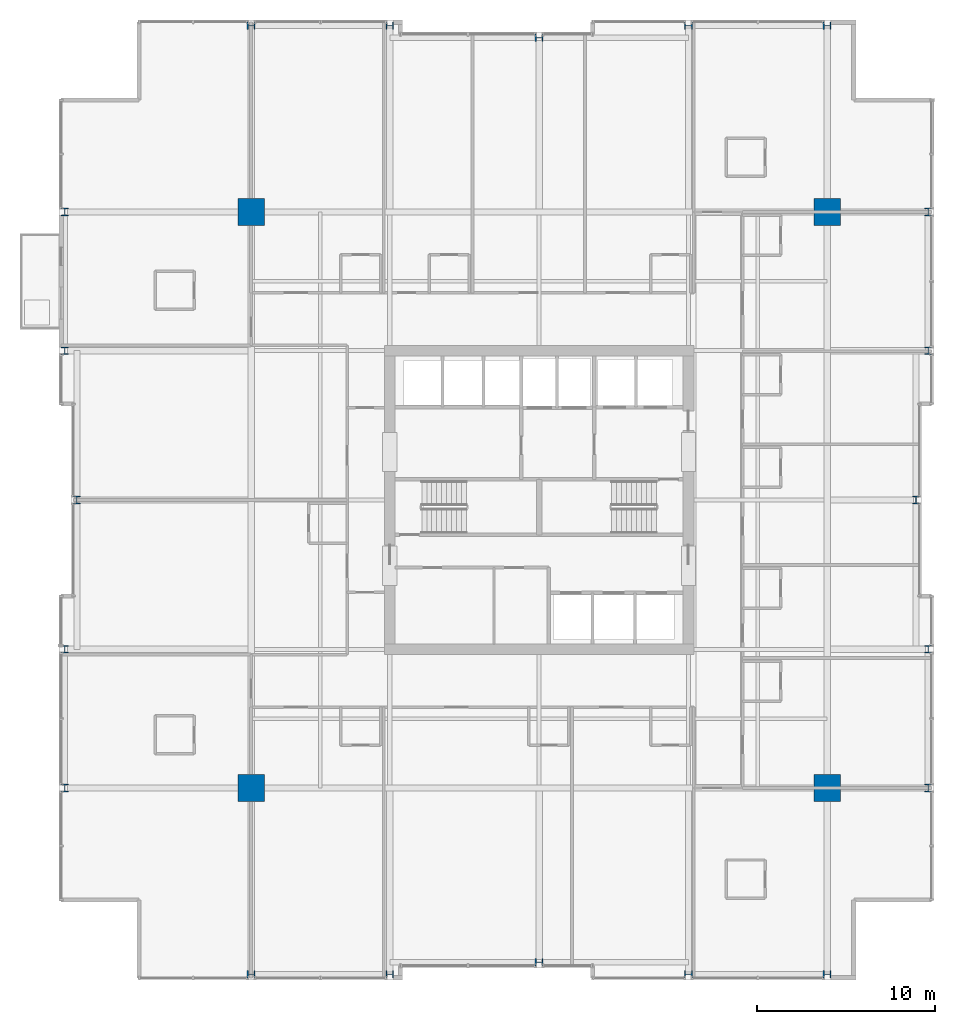
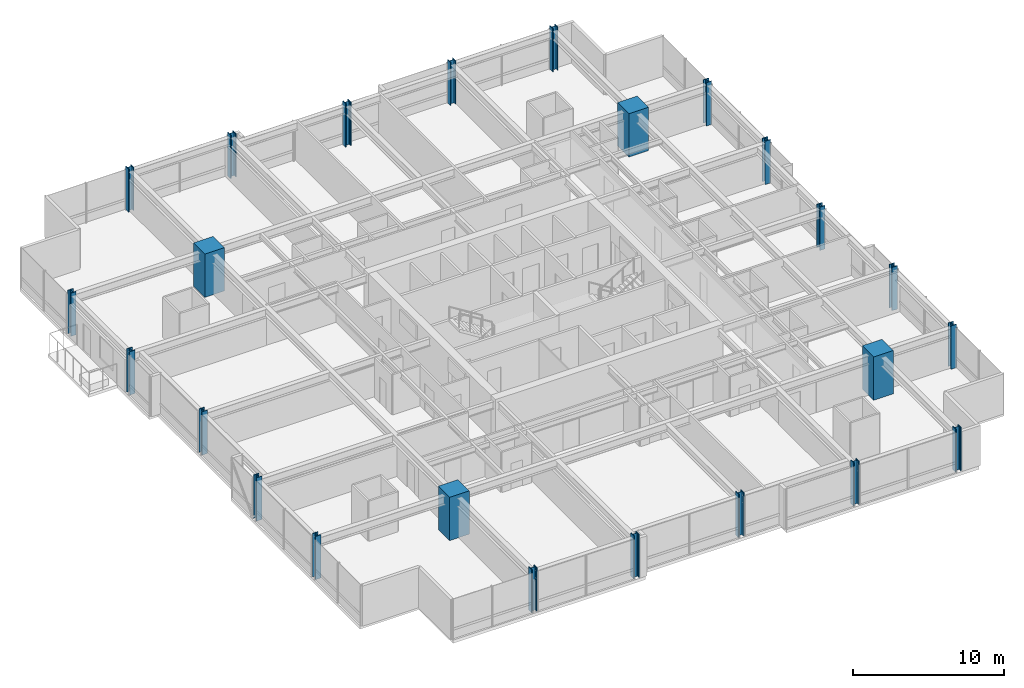
# One storey, part 1 of 34: 24 columns.
"""IFC4 building model written with IfcOpenShell, lengths in metres."""

from ifc_helpers import new_model, si_unit, direction, frame, origin, origin_2d, place, context, subcontext, project, spatial, rectangle, i_section, extrude, material, material_profile, profile_set, type_object, element, save


model = new_model("IFC4")

# Units and contexts
model_context = context("Model", 3, precision=1e-05, world=origin(), true_north=direction((0.0, 1.0)))
body_context = subcontext(model_context, "Body", "Model", "MODEL_VIEW")
ifc_project = project(units=[si_unit("LENGTHUNIT", "METRE"), si_unit("AREAUNIT", "SQUARE_METRE"), si_unit("VOLUMEUNIT", "CUBIC_METRE"), si_unit("PLANEANGLEUNIT", "RADIAN"), si_unit("MASSUNIT", "GRAM", prefix="KILO")], contexts=[model_context])

# Site, building, storey
site_placement = place(None, origin())
site = spatial("IfcSite", under=ifc_project, at=site_placement, CompositionType="ELEMENT")
building_placement = place(site_placement, origin())
building = spatial("IfcBuilding", under=site, at=building_placement, Name="Drelvath Grand Hotel", CompositionType="ELEMENT")
storey_placement = place(building_placement, frame((0.0, 0.0, 126.800048828125)))
storey = spatial("IfcBuildingStorey", under=building, at=storey_placement, Name="L32", CompositionType="ELEMENT", Elevation=126.800048828125)

# Columns
ifc_material_1 = material(Name="Concrete f'c 70 MPa", Category="concrete")
ifc_material_profile_1 = material_profile(ifc_material_1, rectangle(XDim=1.5, YDim=1.5, at=origin_2d()), Name="MC1500X1500")
ifc_profile_set_1 = profile_set([ifc_material_profile_1], Name="Concrete f'c 70 MPa")
column_type_1 = type_object("IfcColumnType", Name="Composite Mega Column MC1500X1500", PredefinedType="COLUMN", material=ifc_profile_set_1)
for number, where, z_axis, x_axis, name in (
    (1, (-16.199951171875, 10.800048828125, 0.0), (0.0, 0.0, 1.0), (1.0, 0.0, 0.0), "L32 Composite Mega Column MC-SW"),
    (2, (16.199951171875, 10.800048828125, 0.0), (0.0, 0.0, 1.0), (1.0, 0.0, 0.0), "L32 Composite Mega Column MC-SE"),
    (3, (-16.199951171875, 43.199951171875, 0.0), (0.0, 0.0, 1.0), (1.0, 0.0, 0.0), "L32 Composite Mega Column MC-NW"),
    (4, (16.199951171875, 43.199951171875, 0.0), (0.0, 0.0, 1.0), (1.0, 0.0, 0.0), "L32 Composite Mega Column MC-NE"),
):
    element("IfcColumn", number, at=place(storey_placement, frame(where, z_axis=z_axis, x_axis=x_axis)), inside=storey, type_object=column_type_1, Name=name, PredefinedType="COLUMN", context=body_context, shape_type="SweptSolid", body=[
        extrude(rectangle(XDim=1.5, YDim=1.5, at=origin_2d()), origin(), (0.0, 0.0, 1.0), 3.5),
    ])
ifc_material_2 = material(Name="Steel ASTM A913 Gr 65", Category="steel")
ifc_material_profile_2 = material_profile(ifc_material_2, i_section(OverallWidth=0.412109375, OverallDepth=0.434814453125, WebThickness=0.035888671875, FlangeThickness=0.057373046875, FilletRadius=0.028076171875, at=origin_2d()), Name="W14X311")
ifc_profile_set_2 = profile_set([ifc_material_profile_2], Name="Steel ASTM A913 Gr 65")
column_type_2 = type_object("IfcColumnType", Name="Perimeter Steel Column W14X311", PredefinedType="COLUMN", material=ifc_profile_set_2)
for number, where, z_axis, x_axis, name in (
    (5, (-26.679931640625, 10.800048828125, 0.0), (0.0, 0.0, 1.0), (1.0, 0.0, 0.0), "L32 Structural Column TCW-C"),
    (6, (21.8798828125, 10.800048828125, 0.0), (0.0, 0.0, 1.0), (1.0, 0.0, 0.0), "L32 Structural Column TCE-C"),
    (7, (-26.679931640625, 18.60009765625, 0.0), (0.0, 0.0, 1.0), (1.0, 0.0, 0.0), "L32 Structural Column TCW-D"),
    (8, (21.8798828125, 18.60009765625, 0.0), (0.0, 0.0, 1.0), (1.0, 0.0, 0.0), "L32 Structural Column TCE-D"),
    (9, (-26.0, 27.0, 0.0), (0.0, 0.0, 1.0), (1.0, 0.0, 0.0), "L32 Structural Column TCW-E"),
    (10, (21.199951171875, 27.0, 0.0), (0.0, 0.0, 1.0), (1.0, 0.0, 0.0), "L32 Structural Column TCE-E"),
    (11, (-26.679931640625, 35.39990234375, 0.0), (0.0, 0.0, 1.0), (1.0, 0.0, 0.0), "L32 Structural Column TCW-F"),
    (12, (21.8798828125, 35.39990234375, 0.0), (0.0, 0.0, 1.0), (1.0, 0.0, 0.0), "L32 Structural Column TCE-F"),
    (13, (-26.679931640625, 43.199951171875, 0.0), (0.0, 0.0, 1.0), (1.0, 0.0, 0.0), "L32 Structural Column TCW-G"),
    (14, (21.8798828125, 43.199951171875, 0.0), (0.0, 0.0, 1.0), (1.0, 0.0, 0.0), "L32 Structural Column TCE-G"),
    (15, (-16.199951171875, 0.320068359375, 0.0), (0.0, 0.0, 1.0), (0.0, 1.0, 0.0), "L32 Structural Column TCS-3"),
    (16, (-16.199951171875, 53.679931640625, 0.0), (0.0, 0.0, 1.0), (0.0, 1.0, 0.0), "L32 Structural Column TCN-3"),
    (17, (-8.39990234375, 0.320068359375, 0.0), (0.0, 0.0, 1.0), (0.0, 1.0, 0.0), "L32 Structural Column TCS-4"),
    (18, (-8.39990234375, 53.679931640625, 0.0), (0.0, 0.0, 1.0), (0.0, 1.0, 0.0), "L32 Structural Column TCN-4"),
    (19, (0.0, 1.0, 0.0), (0.0, 0.0, 1.0), (0.0, 1.0, 0.0), "L32 Structural Column TCS-5"),
    (20, (0.0, 53.0, 0.0), (0.0, 0.0, 1.0), (0.0, 1.0, 0.0), "L32 Structural Column TCN-5"),
    (21, (8.39990234375, 0.320068359375, 0.0), (0.0, 0.0, 1.0), (0.0, 1.0, 0.0), "L32 Structural Column TCS-6"),
    (22, (8.39990234375, 53.679931640625, 0.0), (0.0, 0.0, 1.0), (0.0, 1.0, 0.0), "L32 Structural Column TCN-6"),
    (23, (16.199951171875, 0.320068359375, 0.0), (0.0, 0.0, 1.0), (0.0, 1.0, 0.0), "L32 Structural Column TCS-7"),
    (24, (16.199951171875, 53.679931640625, 0.0), (0.0, 0.0, 1.0), (0.0, 1.0, 0.0), "L32 Structural Column TCN-7"),
):
    element("IfcColumn", number, at=place(storey_placement, frame(where, z_axis=z_axis, x_axis=x_axis)), inside=storey, type_object=column_type_2, Name=name, PredefinedType="COLUMN", context=body_context, shape_type="SweptSolid", body=[
        extrude(i_section(OverallWidth=0.412109375, OverallDepth=0.434814453125, WebThickness=0.035888671875, FlangeThickness=0.057373046875, FilletRadius=0.028076171875, at=origin_2d()), origin(), (0.0, 0.0, 1.0), 3.4970703125),
    ])

save(model, "model.ifc")
